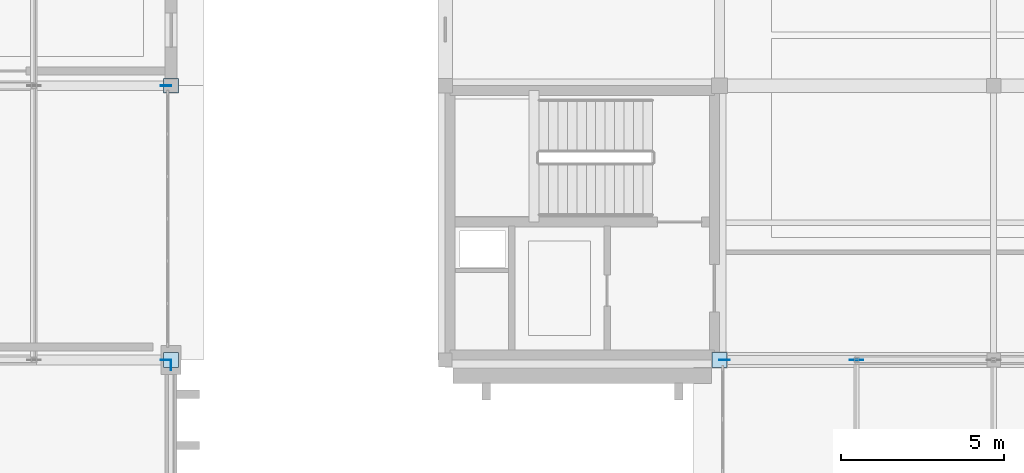
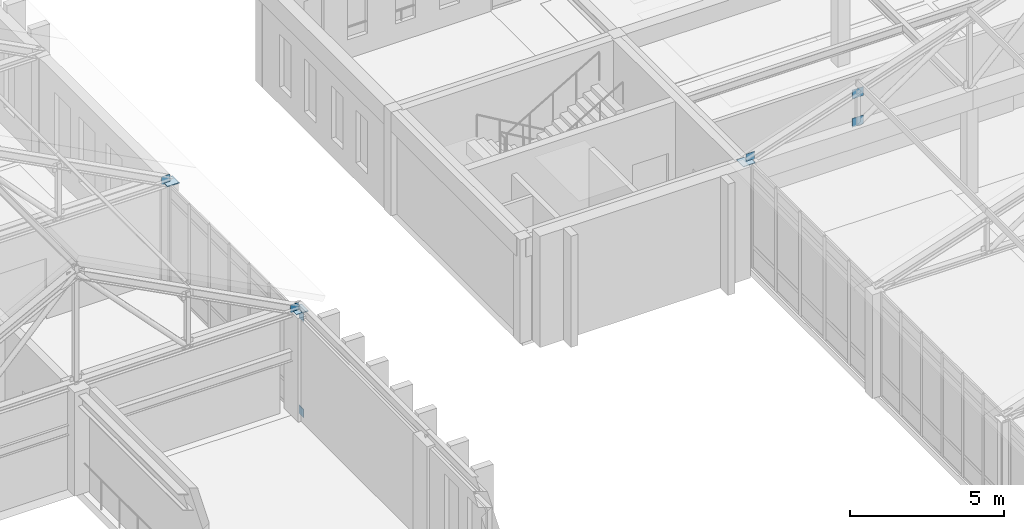
# One storey, part 150 of 192: 10 plates.
"""IFC4 building model written with IfcOpenShell, lengths in metres."""

from ifc_helpers import new_model, si_unit, direction, frame, origin, origin_2d, place, context, subcontext, project, spatial, rectangle, extrude, material, layer, layer_set, type_object, element, save


model = new_model("IFC4")

# Units and contexts
model_context = context("Model", 3, precision=1e-05, world=origin(), true_north=direction((0.0, 1.0)))
body_context = subcontext(model_context, "Body", "Model", "MODEL_VIEW")
ifc_project = project(units=[si_unit("LENGTHUNIT", "METRE"), si_unit("AREAUNIT", "SQUARE_METRE"), si_unit("VOLUMEUNIT", "CUBIC_METRE"), si_unit("PLANEANGLEUNIT", "RADIAN"), si_unit("MASSUNIT", "GRAM", prefix="KILO")], contexts=[model_context])

# Site, building, storey
site_placement = place(None, origin())
site = spatial("IfcSite", under=ifc_project, at=site_placement, CompositionType="ELEMENT")
building_placement = place(site_placement, origin())
building = spatial("IfcBuilding", under=site, at=building_placement, Name="Kveldsbrygga Polytechnic", CompositionType="ELEMENT")
storey_placement = place(building_placement, frame((0.0, 0.0, 5.43994140625)))
storey = spatial("IfcBuildingStorey", under=building, at=storey_placement, Name="L01", CompositionType="ELEMENT", Elevation=5.43994140625)

# Plates
ifc_material = material(Name="Steel S355", Category="steel")
ifc_layer_1 = layer(ifc_material, 0.030029296875)
ifc_layer_set_1 = layer_set([ifc_layer_1], Name="Steel S355")
plate_type_1 = type_object("IfcPlateType", Name="CAP-BEAR-450", PredefinedType="SHEET", material=ifc_layer_set_1)
for number, where, z_axis, x_axis, name in (
    (1, (33.60009765625, 84.0, 4.08984375), (0.0, 0.0, 1.0), (1.0, 0.0, 0.0), "Truss Bearing Plate V1N2-T01-B"),
    (2, (33.60009765625, 92.39990234375, 4.08984375), (0.0, 0.0, 1.0), (1.0, 0.0, 0.0), "Truss Bearing Plate V1N2-T02-B"),
    (3, (50.39990234375, 84.0, 4.08984375), (0.0, 0.0, 1.0), (1.0, 0.0, 0.0), "Truss Bearing Plate V5C-T10-A"),
):
    element("IfcPlate", number, at=place(storey_placement, frame(where, z_axis=z_axis, x_axis=x_axis)), inside=storey, type_object=plate_type_1, Name=name, PredefinedType="SHEET", context=body_context, shape_type="SweptSolid", body=[
        extrude(rectangle(XDim=0.449951171875, YDim=0.449951171875, at=origin_2d()), origin(), (0.0, 0.0, 1.0), 0.030029296875),
    ])
ifc_layer_2 = layer(ifc_material, 0.01806640625)
ifc_layer_set_2 = layer_set([ifc_layer_2], Name="Steel S355")
plate_type_2 = type_object("IfcPlateType", Name="GUS-BRACE-320", PredefinedType="SHEET", material=ifc_layer_set_2)
for number, where, z_axis, x_axis, name in (
    (4, (33.43994140625, 84.0, 4.080078125), (0.0, 0.0, 1.0), (1.0, 0.0, 0.0), "Truss Eaves Node Gusset V1N2-T01-EGP-B"),
    (5, (33.43994140625, 92.39990234375, 4.080078125), (0.0, 0.0, 1.0), (1.0, 0.0, 0.0), "Truss Eaves Node Gusset V1N2-T02-EGP-B"),
    (6, (50.56005859375, 84.0, 4.080078125), (0.0, 0.0, 1.0), (1.0, 0.0, 0.0), "Truss Eaves Node Gusset V5C-T10-EGP-A"),
):
    element("IfcPlate", number, at=place(storey_placement, frame(where, z_axis=z_axis, x_axis=x_axis)), inside=storey, type_object=plate_type_2, Name=name, PredefinedType="SHEET", context=body_context, shape_type="SweptSolid", body=[
        extrude(rectangle(XDim=0.320068359375, YDim=0.01806640625, at=origin_2d()), origin(), (0.0, 0.0, 1.0), 0.320068359375),
    ])
for number, where, z_axis, x_axis, name in (
    (7, (33.60009765625, 83.840087890625, 3.7998046875), (0.0, 0.0, 1.0), (1.0, 0.0, 0.0), "Portal Brace End Gusset XGP-VBR-L01-E-9-2"),
    (8, (33.60009765625, 83.840087890625, 0.0), (0.0, 0.0, 1.0), (1.0, 0.0, 0.0), "Portal Brace End Gusset XGP-VBR-L01-E-9-3"),
):
    element("IfcPlate", number, at=place(storey_placement, frame(where, z_axis=z_axis, x_axis=x_axis)), inside=storey, type_object=plate_type_2, Name=name, PredefinedType="SHEET", context=body_context, shape_type="SweptSolid", body=[
        extrude(rectangle(XDim=0.01806640625, YDim=0.320068359375, at=origin_2d()), origin(), (0.0, 0.0, 1.0), 0.320068359375),
    ])
ifc_layer_3 = layer(ifc_material, 0.02001953125)
ifc_layer_set_3 = layer_set([ifc_layer_3], Name="Steel S355")
plate_type_3 = type_object("IfcPlateType", Name="GUS-LECT-420", PredefinedType="SHEET", material=ifc_layer_set_3)
for number, where, z_axis, x_axis, name in (
    (9, (54.60009765625, 84.0, 5.195068359375), (0.0, 0.0, 1.0), (1.0, 0.0, 0.0), "Truss Gusset Plate V5C-T10-GP-1"),
    (10, (54.60009765625, 84.0, 4.06494140625), (0.0, 0.0, 1.0), (1.0, 0.0, 0.0), "Truss Bottom-Chord Node Gusset V5C-T10-BGP-1"),
):
    element("IfcPlate", number, at=place(storey_placement, frame(where, z_axis=z_axis, x_axis=x_axis)), inside=storey, type_object=plate_type_3, Name=name, PredefinedType="SHEET", context=body_context, shape_type="SweptSolid", body=[
        extrude(rectangle(XDim=0.419921875, YDim=0.02001953125, at=origin_2d()), origin(), (0.0, 0.0, 1.0), 0.35009765625),
    ])

save(model, "model.ifc")
